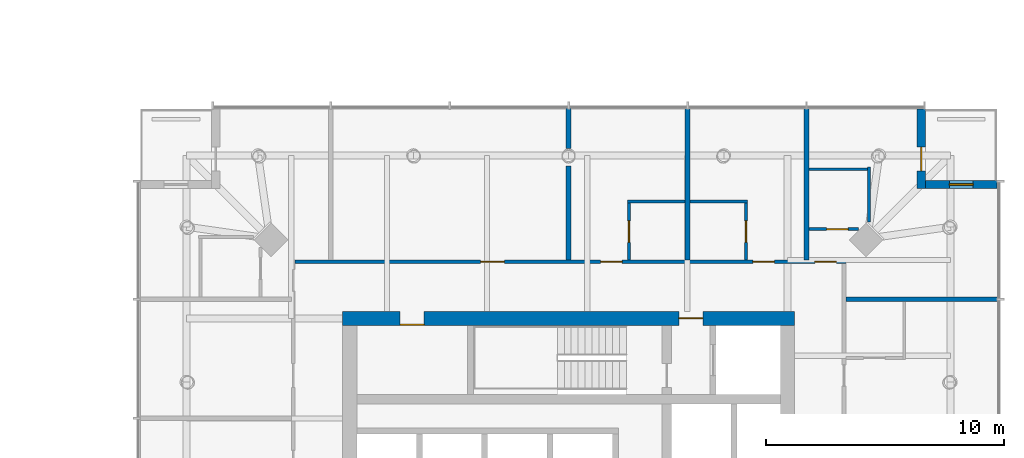
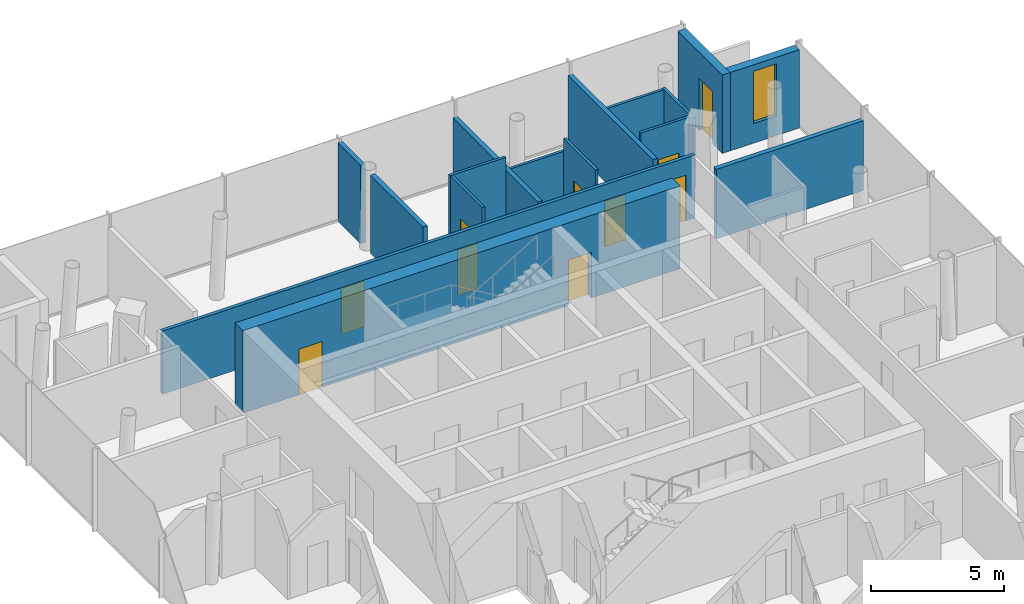
# One storey, part 16 of 27: 16 walls, 10 doors, 1 window, 11 openings.
"""IFC4 building model written with IfcOpenShell, lengths in metres."""

from ifc_helpers import new_model, si_unit, direction, frame, frame_2d, origin, place, context, subcontext, project, spatial, rectangle, extrude, material, layer, layer_set, type_object, element, fill, save


model = new_model("IFC4")

# Units and contexts
model_context = context("Model", 3, precision=1e-05, world=origin(), true_north=direction((0.0, 1.0)))
body_context = subcontext(model_context, "Body", "Model", "MODEL_VIEW")
ifc_project = project(units=[si_unit("LENGTHUNIT", "METRE"), si_unit("AREAUNIT", "SQUARE_METRE"), si_unit("VOLUMEUNIT", "CUBIC_METRE"), si_unit("PLANEANGLEUNIT", "RADIAN"), si_unit("MASSUNIT", "GRAM", prefix="KILO")], contexts=[model_context])

# Site, building, storey
site_placement = place(None, origin())
site = spatial("IfcSite", under=ifc_project, at=site_placement, CompositionType="ELEMENT")
building_placement = place(site_placement, origin())
building = spatial("IfcBuilding", under=site, at=building_placement, Name="Ostroluk Exchange", CompositionType="ELEMENT")
storey_placement = place(building_placement, frame((0.0, 0.0, 89.39990234375)))
storey = spatial("IfcBuildingStorey", under=building, at=storey_placement, Name="L22", CompositionType="ELEMENT", Elevation=89.39990234375)

# Wall, openings, doors
ifc_material_1 = material(Name="Concrete C50/60", Category="concrete")
ifc_layer_1 = layer(ifc_material_1, 0.60009765625)
ifc_layer_set_1 = layer_set([ifc_layer_1], Name="Core wall 600 C50/60")
wall_type_1 = type_object("IfcWallType", Name="Core wall 600 C50/60", PredefinedType="SHEAR", material=ifc_layer_set_1)
wall_1_placement = place(storey_placement, frame((107.5, 55.199951171875, 0.0), z_axis=(0.0, 0.0, 1.0), x_axis=(1.0, 0.0, 0.0)))
wall_1 = element("IfcWall", 1, at=wall_1_placement, inside=storey, type_object=wall_type_1, Name="T2 core wall N", PredefinedType="SHEAR", context=body_context, shape_type="SweptSolid", body=[
    extrude(rectangle(XDim=19.0, YDim=0.60009765625, at=frame_2d((9.5, 0.0))), origin(), (0.0, 0.0, 1.0), 3.800048828125),
])
opening_1_placement = place(wall_1_placement, frame((14.139892578125, 0.0, 0.0)))
opening_1 = element("IfcOpeningElement", 2, at=opening_1_placement, cuts=wall_1, Name="Opening FD60", PredefinedType="OPENING", context=body_context, shape_type="SweptSolid", body=[
    extrude(rectangle(XDim=1.0, YDim=2.10009765625, at=frame_2d((0.5, 1.050048828125))), frame((0.0, 0.31005859375, 0.0), z_axis=(0.0, -1.0, 0.0), x_axis=(1.0, 0.0, 0.0)), (0.0, 0.0, 1.0), 0.6201171875),
])
opening_2_placement = place(wall_1_placement, frame((2.425048828125, 0.0, 0.0)))
opening_2 = element("IfcOpeningElement", 3, at=opening_2_placement, cuts=wall_1, Name="Opening FD60", PredefinedType="OPENING", context=body_context, shape_type="SweptSolid", body=[
    extrude(rectangle(XDim=1.0, YDim=2.10009765625, at=frame_2d((0.5, 1.050048828125))), frame((0.0, 0.31005859375, 0.0), z_axis=(0.0, -1.0, 0.0), x_axis=(1.0, 0.0, 0.0)), (0.0, 0.0, 1.0), 0.6201171875),
])
ifc_material_2 = material(Name="Steel", Category="steel")
door_type_1 = type_object("IfcDoorType", Name="Fire door EI 60 1000 x 2100", OperationType="SINGLE_SWING_LEFT", PredefinedType="DOOR", material=ifc_material_2)
door_1_placement = place(opening_1_placement, origin())
door_1 = element("IfcDoor", 4, at=door_1_placement, inside=storey, type_object=door_type_1, Name="Firefighting lobby door", OperationType="SINGLE_SWING_RIGHT", OverallHeight=2.10009765625, OverallWidth=1.0, PredefinedType="DOOR", context=body_context, shape_type="SweptSolid", body=[
    extrude(rectangle(XDim=1.0, YDim=2.10009765625, at=frame_2d((0.5, 1.050048828125))), frame((0.0, 0.02490234375, 0.0), z_axis=(0.0, -1.0, 0.0), x_axis=(1.0, 0.0, 0.0)), (0.0, 0.0, 1.0), 0.050048828125),
])
fill(opening_1, door_1)
door_2_placement = place(opening_2_placement, origin())
door_2 = element("IfcDoor", 5, at=door_2_placement, inside=storey, type_object=door_type_1, Name="Room-service pantry door", OperationType="SINGLE_SWING_LEFT", OverallHeight=2.10009765625, OverallWidth=1.0, PredefinedType="DOOR", context=body_context, shape_type="SweptSolid", body=[
    extrude(rectangle(XDim=1.0, YDim=2.10009765625, at=frame_2d((0.5, 1.050048828125))), frame((0.0, -0.23974609375, 0.0), z_axis=(0.0, -1.0, 0.0), x_axis=(1.0, 0.0, 0.0)), (0.0, 0.0, 1.0), 0.050048828125),
])
fill(opening_2, door_2)

# Wall, opening, door
ifc_material_3 = material(Name="Limestone", Category="masonry")
ifc_layer_2 = layer(ifc_material_3, 0.35009765625)
ifc_layer_set_2 = layer_set([ifc_layer_2], Name="Limestone facade wall 350")
wall_type_2 = type_object("IfcWallType", Name="Limestone facade wall 350", PredefinedType="SOLIDWALL", material=ifc_layer_set_2)
wall_2_placement = place(storey_placement, frame((131.824951171875, 64.0, 0.0), z_axis=(0.0, 0.0, 1.0), x_axis=(0.0, -1.0, 0.0)))
wall_2 = element("IfcWall", 6, at=wall_2_placement, inside=storey, type_object=wall_type_2, Name="Hotel tower NE corner wall L22 a", PredefinedType="SOLIDWALL", context=body_context, shape_type="SweptSolid", body=[
    extrude(rectangle(XDim=3.35009765625, YDim=0.35009765625, at=frame_2d((1.675048828125, 0.0))), origin(), (0.0, 0.0, 1.0), 3.60009765625),
])
opening_3_placement = place(wall_2_placement, frame((1.60009765625, 0.0, 0.0)))
opening_3 = element("IfcOpeningElement", 7, at=opening_3_placement, cuts=wall_2, Name="Opening D-B1", PredefinedType="OPENING", context=body_context, shape_type="SweptSolid", body=[
    extrude(rectangle(XDim=1.0, YDim=2.39990234375, at=frame_2d((0.5, 1.199951171875))), frame((0.0, 0.18505859375, 0.0), z_axis=(0.0, -1.0, 0.0), x_axis=(1.0, 0.0, 0.0)), (0.0, 0.0, 1.0), 0.3701171875),
])
ifc_material_4 = material(Name="Bronze framed glazed door", Category="aluminium")
door_type_2 = type_object("IfcDoorType", Name="Balcony door 1000 x 2400", OperationType="SINGLE_SWING_LEFT", PredefinedType="DOOR", material=ifc_material_4)
door_3_placement = place(opening_3_placement, origin())
door_3 = element("IfcDoor", 8, at=door_3_placement, inside=storey, type_object=door_type_2, Name="Hotel tower NE balcony door L22", OperationType="SINGLE_SWING_RIGHT", OverallHeight=2.39990234375, OverallWidth=1.0, PredefinedType="DOOR", context=body_context, shape_type="SweptSolid", body=[
    extrude(rectangle(XDim=1.0, YDim=2.39990234375, at=frame_2d((0.5, 1.199951171875))), frame((0.0, 0.02490234375, 0.0), z_axis=(0.0, -1.0, 0.0), x_axis=(1.0, 0.0, 0.0)), (0.0, 0.0, 1.0), 0.050048828125),
])
fill(opening_3, door_3)

# Wall, opening, window
wall_3_placement = place(storey_placement, frame((132.0, 60.824951171875, 0.0), z_axis=(0.0, 0.0, 1.0), x_axis=(1.0, 0.0, 0.0)))
wall_3 = element("IfcWall", 9, at=wall_3_placement, inside=storey, type_object=wall_type_2, Name="Hotel tower NE corner wall L22 b", PredefinedType="SOLIDWALL", context=body_context, shape_type="SweptSolid", body=[
    extrude(rectangle(XDim=3.0, YDim=0.35009765625, at=frame_2d((1.5, 0.0))), origin(), (0.0, 0.0, 1.0), 3.60009765625),
])
opening_4_placement = place(wall_3_placement, frame((1.0, 0.0, 0.89990234375)))
opening_4 = element("IfcOpeningElement", 10, at=opening_4_placement, cuts=wall_3, Name="Opening WN-L3", PredefinedType="OPENING", context=body_context, shape_type="SweptSolid", body=[
    extrude(rectangle(XDim=1.0, YDim=2.39990234375, at=frame_2d((0.5, 1.199951171875))), frame((0.0, 0.18505859375, 0.0), z_axis=(0.0, -1.0, 0.0), x_axis=(1.0, 0.0, 0.0)), (0.0, 0.0, 1.0), 0.3701171875),
])
ifc_material_5 = material(Name="Laminated clear glass", Category="glass")
window_type = type_object("IfcWindowType", Name="Hotel lancet window 1000 x 2400", PartitioningType="SINGLE_PANEL", PredefinedType="WINDOW", material=ifc_material_5)
window_placement = place(opening_4_placement, origin())
window = element("IfcWindow", 11, at=window_placement, inside=storey, type_object=window_type, Name="Hotel tower NE lancet window L22", OverallHeight=2.39990234375, OverallWidth=1.0, PartitioningType="SINGLE_PANEL", PredefinedType="WINDOW", context=body_context, shape_type="SweptSolid", body=[
    extrude(rectangle(XDim=1.0, YDim=2.39990234375, at=frame_2d((0.5, 1.199951171875))), frame((0.0, 0.030029296875, 0.0), z_axis=(0.0, -1.0, 0.0), x_axis=(1.0, 0.0, 0.0)), (0.0, 0.0, 1.0), 0.06005859375),
])
fill(opening_4, window)

# Wall, opening, door
ifc_material_6 = material(Name="Gypsum plasterboard partition, moisture resistant", Category="gypsum")
ifc_layer_3 = layer(ifc_material_6, 0.1201171875)
ifc_layer_set_3 = layer_set([ifc_layer_3], Name="Plasterboard en-suite wall 120")
wall_type_3 = type_object("IfcWallType", Name="Plasterboard en-suite wall 120", PredefinedType="PARTITIONING", material=ifc_layer_set_3)
wall_4_placement = place(storey_placement, frame((127.10009765625, 58.949951171875, 0.0), z_axis=(0.0, 0.0, 1.0), x_axis=(1.0, 0.0, 0.0)))
wall_4 = element("IfcWall", 12, at=wall_4_placement, inside=storey, type_object=wall_type_3, Name="En-suite wall", PredefinedType="PARTITIONING", context=body_context, shape_type="SweptSolid", body=[
    extrude(rectangle(XDim=2.082763671875, YDim=0.1201171875, at=frame_2d((1.04150390625, 0.0))), origin(), (0.0, 0.0, 1.0), 3.60009765625),
])
opening_5_placement = place(wall_4_placement, frame((0.75, 0.0, 0.0)))
opening_5 = element("IfcOpeningElement", 13, at=opening_5_placement, cuts=wall_4, Name="Opening D-02", PredefinedType="OPENING", context=body_context, shape_type="SweptSolid", body=[
    extrude(rectangle(XDim=0.89990234375, YDim=2.10009765625, at=frame_2d((0.449951171875, 1.050048828125))), frame((0.0, 0.070068359375, 0.0), z_axis=(0.0, -1.0, 0.0), x_axis=(1.0, 0.0, 0.0)), (0.0, 0.0, 1.0), 0.14013671875),
])
ifc_material_7 = material(Name="Timber", Category="wood")
door_type_3 = type_object("IfcDoorType", Name="En-suite door 900 x 2100", OperationType="SINGLE_SWING_LEFT", PredefinedType="DOOR", material=ifc_material_7)
door_4_placement = place(opening_5_placement, origin())
door_4 = element("IfcDoor", 14, at=door_4_placement, inside=storey, type_object=door_type_3, Name="En-suite door 2205", OperationType="SINGLE_SWING_RIGHT", OverallHeight=2.10009765625, OverallWidth=0.89990234375, PredefinedType="DOOR", context=body_context, shape_type="SweptSolid", body=[
    extrude(rectangle(XDim=0.89990234375, YDim=2.10009765625, at=frame_2d((0.449951171875, 1.050048828125))), frame((0.0, 0.02490234375, 0.0), z_axis=(0.0, -1.0, 0.0), x_axis=(1.0, 0.0, 0.0)), (0.0, 0.0, 1.0), 0.050048828125),
])
fill(opening_5, door_4)

# Walls
wall_5_placement = place(storey_placement, frame((127.10009765625, 61.469970703125, 0.0), z_axis=(0.0, 0.0, 1.0), x_axis=(1.0, 0.0, 0.0)))
element("IfcWall", 15, at=wall_5_placement, inside=storey, type_object=wall_type_3, Name="En-suite wall", PredefinedType="PARTITIONING", context=body_context, shape_type="SweptSolid", body=[
    extrude(rectangle(XDim=2.579833984375, YDim=0.1201171875, at=frame_2d((1.2900390625, 0.0))), origin(), (0.0, 0.0, 1.0), 3.2001953125),
])
wall_6_placement = place(storey_placement, frame((129.6201171875, 59.25048828125, 0.0), z_axis=(0.0, 0.0, 1.0), x_axis=(0.0, 1.0, 0.0)))
element("IfcWall", 16, at=wall_6_placement, inside=storey, type_object=wall_type_3, Name="En-suite wall", PredefinedType="PARTITIONING", context=body_context, shape_type="SweptSolid", body=[
    extrude(rectangle(XDim=2.3095703125, YDim=0.1201171875, at=frame_2d((1.15478515625, 0.0))), origin(), (0.0, 0.0, 1.0), 3.2001953125),
])
wall_7_placement = place(storey_placement, frame((124.52001953125, 60.110107421875, 0.0), z_axis=(0.0, 0.0, 1.0), x_axis=(-1.0, 0.0, 0.0)))
element("IfcWall", 17, at=wall_7_placement, inside=storey, type_object=wall_type_3, Name="En-suite wall", PredefinedType="PARTITIONING", context=body_context, shape_type="SweptSolid", body=[
    extrude(rectangle(XDim=2.419921875, YDim=0.1201171875, at=frame_2d((1.2099609375, 0.0))), origin(), (0.0, 0.0, 1.0), 3.0),
])

# Wall, opening, door
wall_8_placement = place(storey_placement, frame((124.4599609375, 57.64990234375, 0.0), z_axis=(0.0, 0.0, 1.0), x_axis=(0.0, 1.0, 0.0)))
wall_8 = element("IfcWall", 18, at=wall_8_placement, inside=storey, type_object=wall_type_3, Name="En-suite wall", PredefinedType="PARTITIONING", context=body_context, shape_type="SweptSolid", body=[
    extrude(rectangle(XDim=2.400146484375, YDim=0.1201171875, at=frame_2d((1.2001953125, 0.0))), origin(), (0.0, 0.0, 1.0), 3.60009765625),
])
opening_6_placement = place(wall_8_placement, frame((0.75, 0.0, 0.0)))
opening_6 = element("IfcOpeningElement", 19, at=opening_6_placement, cuts=wall_8, Name="Opening D-02", PredefinedType="OPENING", context=body_context, shape_type="SweptSolid", body=[
    extrude(rectangle(XDim=0.89990234375, YDim=2.10009765625, at=frame_2d((0.449951171875, 1.050048828125))), frame((0.0, 0.070068359375, 0.0), z_axis=(0.0, -1.0, 0.0), x_axis=(1.0, 0.0, 0.0)), (0.0, 0.0, 1.0), 0.14013671875),
])
door_5_placement = place(opening_6_placement, origin())
door_5 = element("IfcDoor", 20, at=door_5_placement, inside=storey, type_object=door_type_3, Name="En-suite door 2206", OperationType="SINGLE_SWING_RIGHT", OverallHeight=2.10009765625, OverallWidth=0.89990234375, PredefinedType="DOOR", context=body_context, shape_type="SweptSolid", body=[
    extrude(rectangle(XDim=0.89990234375, YDim=2.10009765625, at=frame_2d((0.449951171875, 1.050048828125))), frame((0.0, 0.02490234375, 0.0), z_axis=(0.0, -1.0, 0.0), x_axis=(1.0, 0.0, 0.0)), (0.0, 0.0, 1.0), 0.050048828125),
])
fill(opening_6, door_5)

# Wall
wall_9_placement = place(storey_placement, frame((121.89990234375, 60.110107421875, 0.0), z_axis=(0.0, 0.0, 1.0), x_axis=(-1.0, 0.0, 0.0)))
element("IfcWall", 21, at=wall_9_placement, inside=storey, type_object=wall_type_3, Name="En-suite wall", PredefinedType="PARTITIONING", context=body_context, shape_type="SweptSolid", body=[
    extrude(rectangle(XDim=2.419921875, YDim=0.1201171875, at=frame_2d((1.2099609375, 0.0))), origin(), (0.0, 0.0, 1.0), 3.60009765625),
])

# Wall, opening, door
wall_10_placement = place(storey_placement, frame((119.5400390625, 57.64990234375, 0.0), z_axis=(0.0, 0.0, 1.0), x_axis=(0.0, 1.0, 0.0)))
wall_10 = element("IfcWall", 22, at=wall_10_placement, inside=storey, type_object=wall_type_3, Name="En-suite wall", PredefinedType="PARTITIONING", context=body_context, shape_type="SweptSolid", body=[
    extrude(rectangle(XDim=2.400146484375, YDim=0.1201171875, at=frame_2d((1.2001953125, 0.0))), origin(), (0.0, 0.0, 1.0), 3.60009765625),
])
opening_7_placement = place(wall_10_placement, frame((0.75, 0.0, 0.0)))
opening_7 = element("IfcOpeningElement", 23, at=opening_7_placement, cuts=wall_10, Name="Opening D-02", PredefinedType="OPENING", context=body_context, shape_type="SweptSolid", body=[
    extrude(rectangle(XDim=0.89990234375, YDim=2.10009765625, at=frame_2d((0.449951171875, 1.050048828125))), frame((0.0, 0.070068359375, 0.0), z_axis=(0.0, -1.0, 0.0), x_axis=(1.0, 0.0, 0.0)), (0.0, 0.0, 1.0), 0.14013671875),
])
door_6_placement = place(opening_7_placement, origin())
door_6 = element("IfcDoor", 24, at=door_6_placement, inside=storey, type_object=door_type_3, Name="En-suite door 2207", OperationType="SINGLE_SWING_RIGHT", OverallHeight=2.10009765625, OverallWidth=0.89990234375, PredefinedType="DOOR", context=body_context, shape_type="SweptSolid", body=[
    extrude(rectangle(XDim=0.89990234375, YDim=2.10009765625, at=frame_2d((0.449951171875, 1.050048828125))), frame((0.0, 0.02490234375, 0.0), z_axis=(0.0, -1.0, 0.0), x_axis=(1.0, 0.0, 0.0)), (0.0, 0.0, 1.0), 0.050048828125),
])
fill(opening_7, door_6)

# Wall, openings, doors
ifc_material_8 = material(Name="Gypsum plasterboard partition", Category="gypsum")
ifc_layer_4 = layer(ifc_material_8, 0.14990234375)
ifc_layer_set_4 = layer_set([ifc_layer_4], Name="Plasterboard partition 150")
wall_type_4 = type_object("IfcWallType", Name="Plasterboard partition 150", PredefinedType="PARTITIONING", material=ifc_layer_set_4)
wall_11_placement = place(storey_placement, frame((128.64990234375, 57.574951171875, 0.0), z_axis=(0.0, 0.0, 1.0), x_axis=(-1.0, 0.0, 0.0)))
wall_11 = element("IfcWall", 25, at=wall_11_placement, inside=storey, type_object=wall_type_4, Name="Corridor wall", PredefinedType="PARTITIONING", context=body_context, shape_type="SweptSolid", body=[
    extrude(rectangle(XDim=23.14990234375, YDim=0.14990234375, at=frame_2d((11.574951171875, 0.0))), origin(), (0.0, 0.0, 1.0), 2.900146484375),
])
opening_8_placement = place(wall_11_placement, frame((0.39990234375, 0.0, 0.0)))
opening_8 = element("IfcOpeningElement", 26, at=opening_8_placement, cuts=wall_11, Name="Opening D-01", PredefinedType="OPENING", context=body_context, shape_type="SweptSolid", body=[
    extrude(rectangle(XDim=0.89990234375, YDim=2.10009765625, at=frame_2d((0.449951171875, 1.050048828125))), frame((0.0, 0.0849609375, 0.0), z_axis=(0.0, -1.0, 0.0), x_axis=(1.0, 0.0, 0.0)), (0.0, 0.0, 1.0), 0.169921875),
])
opening_9_placement = place(wall_11_placement, frame((3.0, 0.0, 0.0)))
opening_9 = element("IfcOpeningElement", 27, at=opening_9_placement, cuts=wall_11, Name="Opening D-01", PredefinedType="OPENING", context=body_context, shape_type="SweptSolid", body=[
    extrude(rectangle(XDim=0.89990234375, YDim=2.10009765625, at=frame_2d((0.449951171875, 1.050048828125))), frame((0.0, 0.0849609375, 0.0), z_axis=(0.0, -1.0, 0.0), x_axis=(1.0, 0.0, 0.0)), (0.0, 0.0, 1.0), 0.169921875),
])
opening_10_placement = place(wall_11_placement, frame((9.39990234375, 0.0, 0.0)))
opening_10 = element("IfcOpeningElement", 28, at=opening_10_placement, cuts=wall_11, Name="Opening D-01", PredefinedType="OPENING", context=body_context, shape_type="SweptSolid", body=[
    extrude(rectangle(XDim=0.89990234375, YDim=2.10009765625, at=frame_2d((0.449951171875, 1.050048828125))), frame((0.0, 0.0849609375, 0.0), z_axis=(0.0, -1.0, 0.0), x_axis=(1.0, 0.0, 0.0)), (0.0, 0.0, 1.0), 0.169921875),
])
opening_11_placement = place(wall_11_placement, frame((14.35009765625, 0.0, 0.0)))
opening_11 = element("IfcOpeningElement", 29, at=opening_11_placement, cuts=wall_11, Name="Opening D-03", PredefinedType="OPENING", context=body_context, shape_type="SweptSolid", body=[
    extrude(rectangle(XDim=1.0, YDim=2.10009765625, at=frame_2d((0.5, 1.050048828125))), frame((0.0, 0.0849609375, 0.0), z_axis=(0.0, -1.0, 0.0), x_axis=(1.0, 0.0, 0.0)), (0.0, 0.0, 1.0), 0.169921875),
])
ifc_material_9 = material(Name="Timber", Category="wood")
door_type_4 = type_object("IfcDoorType", Name="Hotel room door EI 30 Sa 900 x 2100", OperationType="SINGLE_SWING_LEFT", PredefinedType="DOOR", material=ifc_material_9)
door_7_placement = place(opening_8_placement, origin())
door_7 = element("IfcDoor", 30, at=door_7_placement, inside=storey, type_object=door_type_4, Name="Room door 2205", OperationType="SINGLE_SWING_LEFT", OverallHeight=2.10009765625, OverallWidth=0.89990234375, PredefinedType="DOOR", context=body_context, shape_type="SweptSolid", body=[
    extrude(rectangle(XDim=0.89990234375, YDim=2.10009765625, at=frame_2d((0.449951171875, 1.050048828125))), frame((0.0, 0.02490234375, 0.0), z_axis=(0.0, -1.0, 0.0), x_axis=(1.0, 0.0, 0.0)), (0.0, 0.0, 1.0), 0.050048828125),
])
fill(opening_8, door_7)
door_8_placement = place(opening_9_placement, origin())
door_8 = element("IfcDoor", 31, at=door_8_placement, inside=storey, type_object=door_type_4, Name="Room door 2206", OperationType="SINGLE_SWING_LEFT", OverallHeight=2.10009765625, OverallWidth=0.89990234375, PredefinedType="DOOR", context=body_context, shape_type="SweptSolid", body=[
    extrude(rectangle(XDim=0.89990234375, YDim=2.10009765625, at=frame_2d((0.449951171875, 1.050048828125))), frame((0.0, 0.02490234375, 0.0), z_axis=(0.0, -1.0, 0.0), x_axis=(1.0, 0.0, 0.0)), (0.0, 0.0, 1.0), 0.050048828125),
])
fill(opening_9, door_8)
door_9_placement = place(opening_10_placement, origin())
door_9 = element("IfcDoor", 32, at=door_9_placement, inside=storey, type_object=door_type_4, Name="Room door 2207", OperationType="SINGLE_SWING_LEFT", OverallHeight=2.10009765625, OverallWidth=0.89990234375, PredefinedType="DOOR", context=body_context, shape_type="SweptSolid", body=[
    extrude(rectangle(XDim=0.89990234375, YDim=2.10009765625, at=frame_2d((0.449951171875, 1.050048828125))), frame((0.0, 0.02490234375, 0.0), z_axis=(0.0, -1.0, 0.0), x_axis=(1.0, 0.0, 0.0)), (0.0, 0.0, 1.0), 0.050048828125),
])
fill(opening_10, door_9)
ifc_material_10 = material(Name="Timber", Category="wood")
door_type_5 = type_object("IfcDoorType", Name="Internal door 1000 x 2100", OperationType="SINGLE_SWING_LEFT", PredefinedType="DOOR", material=ifc_material_10)
door_10_placement = place(opening_11_placement, origin())
door_10 = element("IfcDoor", 33, at=door_10_placement, inside=storey, type_object=door_type_5, Name="Guest lounge door", OperationType="SINGLE_SWING_RIGHT", OverallHeight=2.10009765625, OverallWidth=1.0, PredefinedType="DOOR", context=body_context, shape_type="SweptSolid", body=[
    extrude(rectangle(XDim=1.0, YDim=2.10009765625, at=frame_2d((0.5, 1.050048828125))), frame((0.0, 0.02490234375, 0.0), z_axis=(0.0, -1.0, 0.0), x_axis=(1.0, 0.0, 0.0)), (0.0, 0.0, 1.0), 0.050048828125),
])
fill(opening_11, door_10)

# Walls
ifc_material_11 = material(Name="Gypsum plasterboard partition", Category="gypsum")
ifc_layer_5 = layer(ifc_material_11, 0.199951171875)
ifc_layer_set_5 = layer_set([ifc_layer_5], Name="Plasterboard party wall 200")
wall_type_5 = type_object("IfcWallType", Name="Plasterboard party wall 200", PredefinedType="PARTITIONING", material=ifc_layer_set_5)
for number, where, z_axis, x_axis, name in (
    (34, (128.64990234375, 56.0, 0.0), (0.0, 0.0, 1.0), (1.0, 0.0, 0.0), "Party wall"),
    (35, (127.0, 57.64990234375, 0.0), (0.0, 0.0, 1.0), (0.0, 1.0, 0.0), "Party wall"),
):
    element("IfcWall", number, at=place(storey_placement, frame(where, z_axis=z_axis, x_axis=x_axis)), inside=storey, type_object=wall_type_5, Name=name, PredefinedType="PARTITIONING", context=body_context, shape_type="SweptSolid", body=[
        extrude(rectangle(XDim=6.39013671875, YDim=0.199951171875, at=frame_2d((3.195068359375, 0.0))), origin(), (0.0, 0.0, 1.0), 3.2001953125),
    ])
wall_12_placement = place(storey_placement, frame((122.0, 57.64990234375, 0.0), z_axis=(0.0, 0.0, 1.0), x_axis=(0.0, 1.0, 0.0)))
element("IfcWall", 36, at=wall_12_placement, inside=storey, type_object=wall_type_5, Name="Party wall", PredefinedType="PARTITIONING", context=body_context, shape_type="SweptSolid", body=[
    extrude(rectangle(XDim=6.39013671875, YDim=0.199951171875, at=frame_2d((3.195068359375, 0.0))), origin(), (0.0, 0.0, 1.0), 3.0),
])
wall_13_placement = place(storey_placement, frame((117.0, 57.64990234375, 0.0), z_axis=(0.0, 0.0, 1.0), x_axis=(0.0, 1.0, 0.0)))
element("IfcWall", 37, at=wall_13_placement, inside=storey, type_object=wall_type_5, Name="Party wall", PredefinedType="PARTITIONING", context=body_context, shape_type="SweptSolid", body=[
    extrude(rectangle(XDim=3.95849609375, YDim=0.199951171875, at=frame_2d((1.979248046875, 0.0))), origin(), (0.0, 0.0, 1.0), 3.60009765625),
])
wall_14_placement = place(storey_placement, frame((117.0, 62.331298828125, 0.0), z_axis=(0.0, 0.0, 1.0), x_axis=(0.0, 1.0, 0.0)))
element("IfcWall", 38, at=wall_14_placement, inside=storey, type_object=wall_type_5, Name="Party wall", PredefinedType="PARTITIONING", context=body_context, shape_type="SweptSolid", body=[
    extrude(rectangle(XDim=1.708740234375, YDim=0.199951171875, at=frame_2d((0.8544921875, 0.0))), origin(), (0.0, 0.0, 1.0), 3.60009765625),
])

save(model, "model.ifc")
